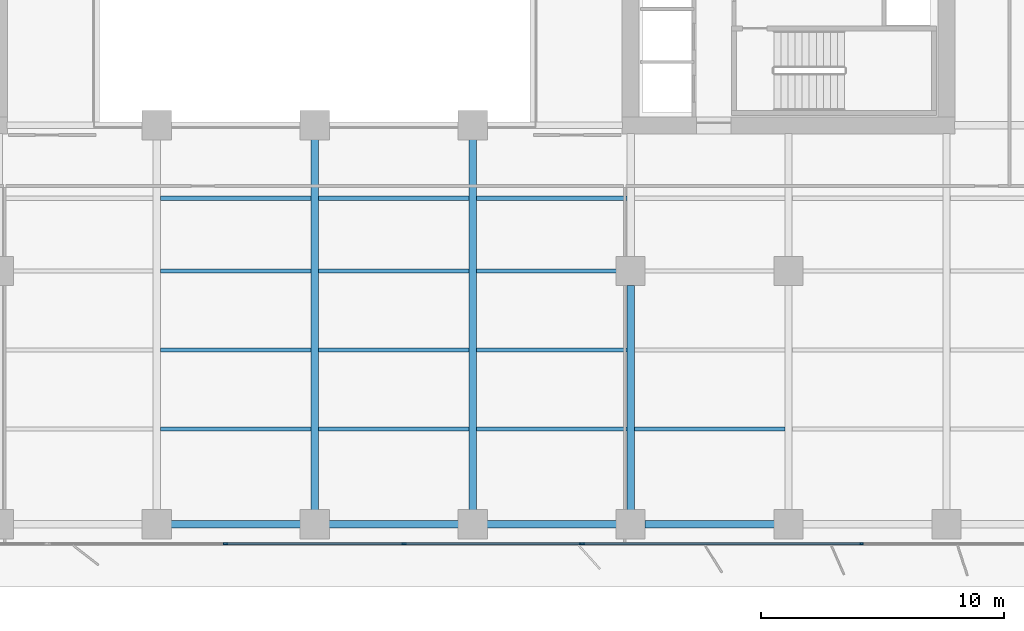
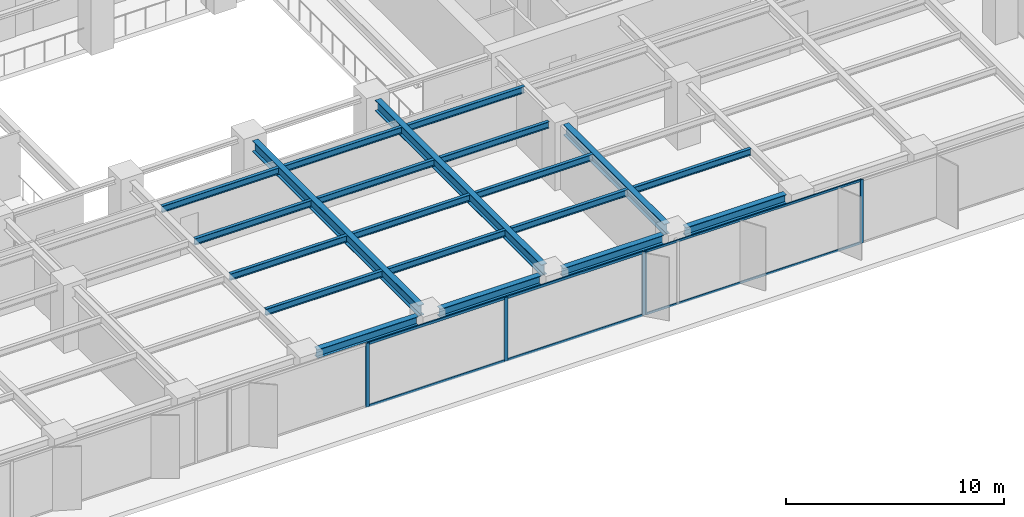
# One storey, part 5 of 19: 20 beams, 11 members, 2 elements without a shape of their own.
"""IFC4 building model written with IfcOpenShell, lengths in metres."""

import ifcopenshell
import ifcopenshell.guid

model = None  # the IFC model being written
_history = None  # IfcOwnerHistory: only IFC2X3 demands one
_inside = {}  # id of a spatial element -> (the spatial element, [elements in it])
_under = {}  # id of a project, library or spatial element -> (it, [spatial elements below it])
_declared = {}  # id of a project -> (the project, [libraries it declares])
_typed = {}  # id of a type object -> (the type object, [elements of that type])
_made_of = {}  # id of a material, layer set ... -> (it, [elements and type objects made of it])


def new_model(schema):
    """Start an empty IFC model of exactly this schema.

    Asked for "IFC4X3", IfcOpenShell would pick the latest addendum, in which some entities
    have other attributes; the version numbers below select the first issue.
    IFC2X3 requires an IfcOwnerHistory on every rooted entity: one is made here for all.
    """
    global model, _history
    if schema == "IFC4X3":
        model = ifcopenshell.file(schema_version=(4, 3, 0, 0))
    else:
        model = ifcopenshell.file(schema=schema)
    _inside.clear()
    _under.clear()
    _declared.clear()
    _typed.clear()
    _made_of.clear()
    _history = None
    if model.schema == "IFC2X3":
        org = make("IfcOrganization", Name="unknown")
        user = make(
            "IfcPersonAndOrganization",
            ThePerson=make("IfcPerson", FamilyName="unknown"),
            TheOrganization=org,
        )
        app = make(
            "IfcApplication",
            ApplicationDeveloper=org,
            Version="unknown",
            ApplicationFullName="unknown",
            ApplicationIdentifier="unknown",
        )
        _history = make(
            "IfcOwnerHistory",
            OwningUser=user,
            OwningApplication=app,
            ChangeAction="ADDED",
            CreationDate=0,
        )
    return model


def make(cls, **values):
    """One entity of the class cls with the attributes given. An attribute that is None is left unset."""
    return model.create_entity(
        cls, **{name: value for name, value in values.items() if value is not None}
    )


def rooted(cls, **values):
    """An entity with a GlobalId (a new one), such as an element, a storey or a relation."""
    return make(cls, GlobalId=ifcopenshell.guid.new(), OwnerHistory=_history, **values)


def si_unit(unit_type, name, prefix=None):
    """IfcSIUnit, for example si_unit("LENGTHUNIT", "METRE", prefix="MILLI")."""
    return make("IfcSIUnit", UnitType=unit_type, Prefix=prefix, Name=name)


def assignment(units):
    """IfcUnitAssignment: the units of a project."""
    return None if units is None else make("IfcUnitAssignment", Units=units)


def point(xyz):
    """IfcCartesianPoint."""
    return None if xyz is None else make("IfcCartesianPoint", Coordinates=xyz)


def direction(xyz):
    """IfcDirection."""
    return None if xyz is None else make("IfcDirection", DirectionRatios=xyz)


def frame(location, z_axis=None, x_axis=None):
    """IfcAxis2Placement3D, a coordinate frame: its origin and axes. An axis left out is left unset."""
    return make(
        "IfcAxis2Placement3D",
        Location=point(location),
        Axis=direction(z_axis),
        RefDirection=direction(x_axis),
    )


def frame_2d(location, x_axis=None):
    """IfcAxis2Placement2D, a coordinate frame in the plane: its origin and x axis."""
    return make(
        "IfcAxis2Placement2D", Location=point(location), RefDirection=direction(x_axis)
    )


def origin():
    """The frame at (0, 0, 0) with its axes left unset."""
    return frame((0.0, 0.0, 0.0))


def origin_2d():
    """The frame at (0, 0) in the plane with its x axis left unset."""
    return frame_2d((0.0, 0.0))


def place(relative_to, where):
    """IfcLocalPlacement: puts the frame where relative to a parent placement (None: the world)."""
    return make(
        "IfcLocalPlacement", PlacementRelTo=relative_to, RelativePlacement=where
    )


def context(
    kind, dimensions, precision=None, world=None, true_north=None, identifier=None
):
    """IfcGeometricRepresentationContext, for example the 3D "Model" context."""
    return make(
        "IfcGeometricRepresentationContext",
        ContextIdentifier=identifier,
        ContextType=kind,
        CoordinateSpaceDimension=dimensions,
        Precision=precision,
        WorldCoordinateSystem=world,
        TrueNorth=true_north,
    )


def subcontext(parent, identifier, kind, view, scale=None):
    """IfcGeometricRepresentationSubContext, for example "Body" below "Model"."""
    return make(
        "IfcGeometricRepresentationSubContext",
        ContextIdentifier=identifier,
        ContextType=kind,
        ParentContext=parent,
        TargetScale=scale,
        TargetView=view,
    )


def project(units=None, contexts=None):
    """IfcProject with its units and contexts."""
    return rooted(
        "IfcProject",
        Name="project",
        RepresentationContexts=contexts,
        UnitsInContext=assignment(units),
    )


def spatial(cls, under=None, at=None, **own):
    """A site, building, storey or space (cls), placed at a placement, below another one or the project."""
    s = rooted(cls, ObjectPlacement=at, **own)
    if under is not None:
        _under.setdefault(under.id(), (under, []))[1].append(s)
    return s


def profile(cls, at=None, kind="AREA", **sizes):
    """A parametric profile (cls). Its sizes go by their IFC names, for example OverallWidth=200.0."""
    return make(cls, ProfileType=kind, Position=at, **sizes)


def rectangle(**sizes):
    """IfcRectangleProfileDef."""
    return profile("IfcRectangleProfileDef", **sizes)


def i_section(**sizes):
    """IfcIShapeProfileDef."""
    return profile("IfcIShapeProfileDef", **sizes)


def extrude(swept, where, along, depth):
    """IfcExtrudedAreaSolid: the profile swept, set in the frame where, extruded along a direction by depth."""
    return make(
        "IfcExtrudedAreaSolid",
        SweptArea=swept,
        Position=where,
        ExtrudedDirection=direction(along),
        Depth=depth,
    )


def shape(context_of_items, identifier, shape_type, items):
    """IfcShapeRepresentation: the items that make up one representation, for example the "Body"."""
    return make(
        "IfcShapeRepresentation",
        ContextOfItems=context_of_items,
        RepresentationIdentifier=identifier,
        RepresentationType=shape_type,
        Items=items,
    )


def material(Name=None, Category=None):
    """IfcMaterial."""
    return make("IfcMaterial", Name=Name, Category=Category)


def layer(
    of_material, thickness, ventilated=None, Name=None, Category=None, Priority=None
):
    """IfcMaterialLayer: one layer of a wall or slab, of a material (None: an air gap)."""
    return make(
        "IfcMaterialLayer",
        Material=of_material,
        LayerThickness=thickness,
        IsVentilated=ventilated,
        Name=Name,
        Category=Category,
        Priority=Priority,
    )


def layer_set(layers, Name=None):
    """IfcMaterialLayerSet."""
    return make("IfcMaterialLayerSet", MaterialLayers=layers, LayerSetName=Name)


def material_profile(
    of_material, cross_section, Name=None, Category=None, Priority=None
):
    """IfcMaterialProfile: a cross section and its material."""
    return make(
        "IfcMaterialProfile",
        Name=Name,
        Material=of_material,
        Profile=cross_section,
        Priority=Priority,
        Category=Category,
    )


def profile_set(profiles, Name=None, composite=None):
    """IfcMaterialProfileSet."""
    return make(
        "IfcMaterialProfileSet",
        Name=Name,
        MaterialProfiles=profiles,
        CompositeProfile=composite,
    )


def made_of(thing, what):
    """Note that an element or type object is made of a material, layer set ...; save() writes the relation."""
    if what is not None:
        _made_of.setdefault(what.id(), (what, []))[1].append(thing)
    return thing


def type_object(cls, material=None, **own):
    """A type object (cls), such as IfcWallType, which elements share."""
    return made_of(rooted(cls, **own), material)


def element(
    cls,
    number,
    at=None,
    inside=None,
    cuts=None,
    type_object=None,
    material=None,
    context=None,
    identifier="Body",
    shape_type=None,
    held_by="IfcProductDefinitionShape",
    body=None,
    shapes=None,
    **own,
):
    """One element of the class cls, such as IfcWall. Its Tag is "e" and its number.

    at: its placement. inside: the storey or other place that contains it. cuts: it is an
    opening in that element (IfcRelVoidsElement). A single representation is given by context,
    identifier, shape_type and body (its items); several are given by shapes. held_by: the class
    of the entity that holds the representations. save() writes the other relations.
    """
    e = rooted(cls, Tag="e%d" % number, ObjectPlacement=at, **own)
    if body is not None:
        shapes = [shape(context, identifier, shape_type, body)]
    if shapes is not None:
        e.Representation = make(held_by, Representations=shapes)
    if inside is not None:
        _inside.setdefault(inside.id(), (inside, []))[1].append(e)
    if cuts is not None:
        rooted(
            "IfcRelVoidsElement", RelatingBuildingElement=cuts, RelatedOpeningElement=e
        )
    if type_object is not None:
        _typed.setdefault(type_object.id(), (type_object, []))[1].append(e)
    return made_of(e, material)


def aggregate(whole, parts):
    """IfcRelAggregates: a whole, such as a stair, and the parts it consists of."""
    return rooted("IfcRelAggregates", RelatingObject=whole, RelatedObjects=parts)


def save(model, path):
    """Write the relations noted so far, then the file.

    IfcRelAggregates (storeys below a building ...), IfcRelContainedInSpatialStructure (elements
    in a storey), IfcRelDefinesByType, IfcRelAssociatesMaterial and IfcRelDeclares: one each for
    every whole, place, type object, material and project.
    """
    for whole, parts in _under.values():
        aggregate(whole, parts)
    for where, things in _inside.values():
        rooted(
            "IfcRelContainedInSpatialStructure",
            RelatedElements=things,
            RelatingStructure=where,
        )
    for kind, things in _typed.values():
        rooted("IfcRelDefinesByType", RelatedObjects=things, RelatingType=kind)
    for what, things in _made_of.values():
        rooted("IfcRelAssociatesMaterial", RelatedObjects=things, RelatingMaterial=what)
    for by, libraries in _declared.values():
        rooted("IfcRelDeclares", RelatingContext=by, RelatedDefinitions=libraries)
    model.write(path)


model = new_model("IFC4")

# Units and contexts
model_context = context("Model", 3, precision=1e-05, world=origin(), true_north=direction((0.0, 1.0)))
body_context = subcontext(model_context, "Body", "Model", "MODEL_VIEW")
ifc_project = project(units=[si_unit("LENGTHUNIT", "METRE"), si_unit("AREAUNIT", "SQUARE_METRE"), si_unit("VOLUMEUNIT", "CUBIC_METRE"), si_unit("PLANEANGLEUNIT", "RADIAN"), si_unit("MASSUNIT", "GRAM", prefix="KILO")], contexts=[model_context])

# Site, building, storey
site_placement = place(None, origin())
site = spatial("IfcSite", under=ifc_project, at=site_placement, CompositionType="ELEMENT")
building_placement = place(site_placement, origin())
building = spatial("IfcBuilding", under=site, at=building_placement, Name="Putna Gate Headquarters", CompositionType="ELEMENT")
storey_placement = place(building_placement, frame((0.0, 0.0, 86.0)))
storey = spatial("IfcBuildingStorey", under=building, at=storey_placement, Name="L20", CompositionType="ELEMENT", Elevation=86.0)

# Beams
ifc_material_1 = material(Name="Steel S355J2", Category="steel")
ifc_material_profile_1 = material_profile(ifc_material_1, i_section(OverallWidth=0.300048828125, OverallDepth=0.60009765625, WebThickness=0.015380859375, FlangeThickness=0.030029296875, at=origin_2d()), Name="Steel S355J2")
ifc_profile_set_1 = profile_set([ifc_material_profile_1], Name="Steel S355J2")
beam_type_1 = type_object("IfcBeamType", Name="BM-GIRD-Z2-HEB600", PredefinedType="USERDEFINED", material=ifc_profile_set_1)
for number, where, z_axis, x_axis, name in (
    (1, (39.0, 3.16796875, 3.264892578125), (0.0, 1.0, 0.0), (-1.0, 0.0, 0.0), "L20 South Primary Girder X39"),
    (2, (45.5, 3.16796875, 3.264892578125), (0.0, 1.0, 0.0), (-1.0, 0.0, 0.0), "L20 South Primary Girder X45"),
):
    element("IfcBeam", number, at=place(storey_placement, frame(where, z_axis=z_axis, x_axis=x_axis)), inside=storey, type_object=beam_type_1, Name=name, ObjectType="GIRDER", PredefinedType="USERDEFINED", context=body_context, shape_type="SweptSolid", body=[
        extrude(i_section(OverallWidth=0.300048828125, OverallDepth=0.60009765625, WebThickness=0.015380859375, FlangeThickness=0.030029296875, at=origin_2d()), origin(), (0.0, 0.0, 1.0), 15.244140625),
    ])
beam_1_placement = place(storey_placement, frame((52.0, 3.16796875, 3.264892578125), z_axis=(0.0, 1.0, 0.0), x_axis=(-1.0, 0.0, 0.0)))
element("IfcBeam", 3, at=beam_1_placement, inside=storey, type_object=beam_type_1, Name="L20 South Primary Girder X52-1", ObjectType="GIRDER", PredefinedType="USERDEFINED", context=body_context, shape_type="SweptSolid", body=[
    extrude(i_section(OverallWidth=0.300048828125, OverallDepth=0.60009765625, WebThickness=0.015380859375, FlangeThickness=0.030029296875, at=origin_2d()), origin(), (0.0, 0.0, 1.0), 9.244140625),
])
ifc_material_profile_2 = material_profile(ifc_material_1, i_section(OverallWidth=0.169921875, OverallDepth=0.360107421875, WebThickness=0.008056640625, FlangeThickness=0.0126953125, at=origin_2d()), Name="Steel S355J2")
ifc_profile_set_2 = profile_set([ifc_material_profile_2], Name="Steel S355J2")
beam_type_2 = type_object("IfcBeamType", Name="BM-SEC-Z2-IPE360", PredefinedType="BEAM", material=ifc_profile_set_2)
for number, where, z_axis, x_axis, name in (
    (4, (32.654052734375, 6.5, 3.385009765625), (1.0, 0.0, 0.0), (0.0, 1.0, 0.0), "L20 South Secondary Beam 5"),
    (5, (32.654052734375, 9.75, 3.385009765625), (1.0, 0.0, 0.0), (0.0, 1.0, 0.0), "L20 South Secondary Beam 5"),
    (6, (32.654052734375, 13.0, 3.385009765625), (1.0, 0.0, 0.0), (0.0, 1.0, 0.0), "L20 South Secondary Beam 5"),
    (7, (32.654052734375, 16.0, 3.385009765625), (1.0, 0.0, 0.0), (0.0, 1.0, 0.0), "L20 South Secondary Beam 5"),
    (8, (39.154052734375, 6.5, 3.385009765625), (1.0, 0.0, 0.0), (0.0, 1.0, 0.0), "L20 South Secondary Beam 6"),
    (9, (39.154052734375, 9.75, 3.385009765625), (1.0, 0.0, 0.0), (0.0, 1.0, 0.0), "L20 South Secondary Beam 6"),
    (10, (39.154052734375, 13.0, 3.385009765625), (1.0, 0.0, 0.0), (0.0, 1.0, 0.0), "L20 South Secondary Beam 6"),
    (11, (39.154052734375, 16.0, 3.385009765625), (1.0, 0.0, 0.0), (0.0, 1.0, 0.0), "L20 South Secondary Beam 6"),
    (12, (45.654052734375, 6.5, 3.385009765625), (1.0, 0.0, 0.0), (0.0, 1.0, 0.0), "L20 South Secondary Beam 7"),
    (13, (45.654052734375, 9.75, 3.385009765625), (1.0, 0.0, 0.0), (0.0, 1.0, 0.0), "L20 South Secondary Beam 7"),
):
    element("IfcBeam", number, at=place(storey_placement, frame(where, z_axis=z_axis, x_axis=x_axis)), inside=storey, type_object=beam_type_2, Name=name, PredefinedType="BEAM", context=body_context, shape_type="SweptSolid", body=[
        extrude(i_section(OverallWidth=0.169921875, OverallDepth=0.360107421875, WebThickness=0.008056640625, FlangeThickness=0.0126953125, at=origin_2d()), origin(), (0.0, 0.0, 1.0), 6.19189453125),
    ])
beam_2_placement = place(storey_placement, frame((45.654052734375, 13.0, 3.385009765625), z_axis=(1.0, 0.0, 0.0), x_axis=(0.0, 1.0, 0.0)))
element("IfcBeam", 14, at=beam_2_placement, inside=storey, type_object=beam_type_2, Name="L20 South Secondary Beam 7", PredefinedType="BEAM", context=body_context, shape_type="SweptSolid", body=[
    extrude(i_section(OverallWidth=0.169921875, OverallDepth=0.360107421875, WebThickness=0.008056640625, FlangeThickness=0.0126953125, at=origin_2d()), origin(), (0.0, 0.0, 1.0), 5.758056640625),
])
for number, where, z_axis, x_axis, name in (
    (15, (45.654052734375, 16.0, 3.385009765625), (1.0, 0.0, 0.0), (0.0, 1.0, 0.0), "L20 South Secondary Beam 7"),
    (16, (52.154052734375, 6.5, 3.385009765625), (1.0, 0.0, 0.0), (0.0, 1.0, 0.0), "L20 South Secondary Beam 8"),
):
    element("IfcBeam", number, at=place(storey_placement, frame(where, z_axis=z_axis, x_axis=x_axis)), inside=storey, type_object=beam_type_2, Name=name, PredefinedType="BEAM", context=body_context, shape_type="SweptSolid", body=[
        extrude(i_section(OverallWidth=0.169921875, OverallDepth=0.360107421875, WebThickness=0.008056640625, FlangeThickness=0.0126953125, at=origin_2d()), origin(), (0.0, 0.0, 1.0), 6.19189453125),
    ])
ifc_material_profile_3 = material_profile(ifc_material_1, i_section(OverallWidth=0.300048828125, OverallDepth=0.489990234375, WebThickness=0.011962890625, FlangeThickness=0.02294921875, at=origin_2d()), Name="Steel S355J2")
ifc_profile_set_3 = profile_set([ifc_material_profile_3], Name="Steel S355J2")
beam_type_3 = type_object("IfcBeamType", Name="BM-SPAN-Z2-HEA500", PredefinedType="SPANDREL", material=ifc_profile_set_3)
for number, where, z_axis, x_axis, name in (
    (17, (33.087890625, 2.580078125, 3.320068359375), (1.0, 0.0, 0.0), (0.0, 1.0, 0.0), "L20 S Perimeter Spandrel 5"),
    (18, (39.587890625, 2.580078125, 3.320068359375), (1.0, 0.0, 0.0), (0.0, 1.0, 0.0), "L20 S Perimeter Spandrel 6"),
    (19, (46.087890625, 2.580078125, 3.320068359375), (1.0, 0.0, 0.0), (0.0, 1.0, 0.0), "L20 S Perimeter Spandrel 7"),
    (20, (52.587890625, 2.580078125, 3.320068359375), (1.0, 0.0, 0.0), (0.0, 1.0, 0.0), "L20 S Perimeter Spandrel 8"),
):
    element("IfcBeam", number, at=place(storey_placement, frame(where, z_axis=z_axis, x_axis=x_axis)), inside=storey, type_object=beam_type_3, Name=name, PredefinedType="SPANDREL", context=body_context, shape_type="SweptSolid", body=[
        extrude(i_section(OverallWidth=0.300048828125, OverallDepth=0.489990234375, WebThickness=0.011962890625, FlangeThickness=0.02294921875, at=origin_2d()), origin(), (0.0, 0.0, 1.0), 5.32421875),
    ])

# Curtain wall, members
ifc_material_2 = material(Name="Anodised bronze aluminium curtain wall", Category="aluminium")
ifc_layer_1 = layer(ifc_material_2, 0.159912109375)
ifc_layer_set_1 = layer_set([ifc_layer_1], Name="Anodised bronze aluminium curtain wall")
curtain_wall_type_1 = type_object("IfcCurtainWallType", Name="CW-SYS-Z2", PredefinedType="USERDEFINED", material=ifc_layer_set_1)
curtain_wall_1_placement = place(storey_placement, origin())
curtain_wall_1 = element("IfcCurtainWall", 21, at=curtain_wall_1_placement, inside=storey, type_object=curtain_wall_type_1, Name="L20 South East Curtain Wall", ObjectType="STICK CURTAIN WALL", PredefinedType="USERDEFINED")
ifc_material_3 = material(Name="Anodised bronze aluminium EN AW-6060", Category="aluminium")
ifc_material_profile_4 = material_profile(ifc_material_3, rectangle(XDim=0.06494140625, YDim=0.159912109375, at=origin_2d()), Name="Anodised bronze aluminium EN AW-6060")
ifc_profile_set_4 = profile_set([ifc_material_profile_4], Name="Anodised bronze aluminium EN AW-6060")
member_type_1 = type_object("IfcMemberType", Name="MULL-CWM-2", PredefinedType="MULLION", material=ifc_profile_set_4)
member_1_placement = place(storey_placement, frame((50.032470703125, 1.780029296875, 0.0), z_axis=(0.0, 0.0, 1.0), x_axis=(0.0, 1.0, 0.0)))
member_1 = element("IfcMember", 22, at=member_1_placement, type_object=member_type_1, Name="CWS-2 mullion 1", PredefinedType="MULLION", context=body_context, shape_type="SweptSolid", body=[
    extrude(rectangle(XDim=0.06494140625, YDim=0.159912109375, at=origin_2d()), origin(), (0.0, 0.0, 1.0), 3.56494140625),
])
member_2_placement = place(storey_placement, frame((61.5, 1.780029296875, 0.0), z_axis=(0.0, 0.0, 1.0), x_axis=(0.0, 1.0, 0.0)))
member_2 = element("IfcMember", 23, at=member_2_placement, type_object=member_type_1, Name="CWS-2 mullion 2", PredefinedType="MULLION", context=body_context, shape_type="SweptSolid", body=[
    extrude(rectangle(XDim=0.06494140625, YDim=0.159912109375, at=origin_2d()), origin(), (0.0, 0.0, 1.0), 3.56494140625),
])

ifc_layer_2 = layer(ifc_material_2, 0.179931640625)
ifc_layer_set_2 = layer_set([ifc_layer_2], Name="Anodised bronze aluminium curtain wall")
curtain_wall_type_2 = type_object("IfcCurtainWallType", Name="CW-SYS-ATR", PredefinedType="USERDEFINED", material=ifc_layer_set_2)
curtain_wall_2_placement = place(storey_placement, origin())
curtain_wall_2 = element("IfcCurtainWall", 24, at=curtain_wall_2_placement, inside=storey, type_object=curtain_wall_type_2, Name="L20 South Atrium Clear Glazing", ObjectType="ATRIUM GLAZING", PredefinedType="USERDEFINED")
ifc_material_profile_5 = material_profile(ifc_material_3, rectangle(XDim=0.070068359375, YDim=0.179931640625, at=origin_2d()), Name="Anodised bronze aluminium EN AW-6060")
ifc_profile_set_5 = profile_set([ifc_material_profile_5], Name="Anodised bronze aluminium EN AW-6060")
member_type_2 = type_object("IfcMemberType", Name="MULL-CWM-AT", PredefinedType="MULLION", material=ifc_profile_set_5)
member_3_placement = place(storey_placement, frame((35.333251953125, 1.780029296875, 0.0), z_axis=(0.0, 0.0, 1.0), x_axis=(0.0, 1.0, 0.0)))
member_3 = element("IfcMember", 25, at=member_3_placement, type_object=member_type_2, Name="CWS-AT mullion 2", PredefinedType="MULLION", context=body_context, shape_type="SweptSolid", body=[
    extrude(rectangle(XDim=0.070068359375, YDim=0.179931640625, at=origin_2d()), origin(), (0.0, 0.0, 1.0), 3.56494140625),
])
member_4_placement = place(storey_placement, frame((42.666748046875, 1.780029296875, 0.0), z_axis=(0.0, 0.0, 1.0), x_axis=(0.0, 1.0, 0.0)))
member_4 = element("IfcMember", 26, at=member_4_placement, type_object=member_type_2, Name="CWS-AT mullion 3", PredefinedType="MULLION", context=body_context, shape_type="SweptSolid", body=[
    extrude(rectangle(XDim=0.070068359375, YDim=0.179931640625, at=origin_2d()), origin(), (0.0, 0.0, 1.0), 3.56494140625),
])
member_5_placement = place(storey_placement, frame((49.965087890625, 1.780029296875, 0.0), z_axis=(0.0, 0.0, 1.0), x_axis=(0.0, 1.0, 0.0)))
member_5 = element("IfcMember", 27, at=member_5_placement, type_object=member_type_2, Name="CWS-AT mullion 4", PredefinedType="MULLION", context=body_context, shape_type="SweptSolid", body=[
    extrude(rectangle(XDim=0.070068359375, YDim=0.179931640625, at=origin_2d()), origin(), (0.0, 0.0, 1.0), 3.56494140625),
])

# Member
ifc_material_profile_6 = material_profile(ifc_material_3, rectangle(XDim=0.06494140625, YDim=0.1201171875, at=origin_2d()), Name="Anodised bronze aluminium EN AW-6060")
ifc_profile_set_6 = profile_set([ifc_material_profile_6], Name="Anodised bronze aluminium EN AW-6060")
member_type_3 = type_object("IfcMemberType", Name="TRAN-CWT-2", PredefinedType="USERDEFINED", material=ifc_profile_set_6)
member_6_placement = place(storey_placement, frame((50.06494140625, 1.780029296875, 0.032470703125), z_axis=(1.0, 0.0, 0.0), x_axis=(0.0, 1.0, 0.0)))
member_6 = element("IfcMember", 28, at=member_6_placement, type_object=member_type_3, Name="CWS-2 transom 1.1", ObjectType="TRANSOM", PredefinedType="USERDEFINED", context=body_context, shape_type="SweptSolid", body=[
    extrude(rectangle(XDim=0.06494140625, YDim=0.1201171875, at=origin_2d()), origin(), (0.0, 0.0, 1.0), 11.402587890625),
])

member_7_placement = place(storey_placement, frame((50.06494140625, 1.780029296875, 3.532470703125), z_axis=(1.0, 0.0, 0.0), x_axis=(0.0, 1.0, 0.0)))
member_7 = element("IfcMember", 29, at=member_7_placement, type_object=member_type_3, Name="CWS-2 transom 1.2", ObjectType="TRANSOM", PredefinedType="USERDEFINED", context=body_context, shape_type="SweptSolid", body=[
    extrude(rectangle(XDim=0.06494140625, YDim=0.1201171875, at=origin_2d()), origin(), (0.0, 0.0, 1.0), 11.402587890625),
])

aggregate(curtain_wall_1, [member_1, member_2, member_6, member_7])

ifc_material_profile_7 = material_profile(ifc_material_3, rectangle(XDim=0.070068359375, YDim=0.139892578125, at=origin_2d()), Name="Anodised bronze aluminium EN AW-6060")
ifc_profile_set_7 = profile_set([ifc_material_profile_7], Name="Anodised bronze aluminium EN AW-6060")
member_type_4 = type_object("IfcMemberType", Name="TRAN-CWT-AT", PredefinedType="USERDEFINED", material=ifc_profile_set_7)
member_8_placement = place(storey_placement, frame((35.368408203125, 1.780029296875, 0.034912109375), z_axis=(1.0, 0.0, 0.0), x_axis=(0.0, 1.0, 0.0)))
member_8 = element("IfcMember", 30, at=member_8_placement, type_object=member_type_4, Name="CWS-AT transom 2.1", ObjectType="TRANSOM", PredefinedType="USERDEFINED", context=body_context, shape_type="SweptSolid", body=[
    extrude(rectangle(XDim=0.070068359375, YDim=0.139892578125, at=origin_2d()), origin(), (0.0, 0.0, 1.0), 7.26318359375),
])

member_9_placement = place(storey_placement, frame((35.368408203125, 1.780029296875, 3.530029296875), z_axis=(1.0, 0.0, 0.0), x_axis=(0.0, 1.0, 0.0)))
member_9 = element("IfcMember", 31, at=member_9_placement, type_object=member_type_4, Name="CWS-AT transom 2.2", ObjectType="TRANSOM", PredefinedType="USERDEFINED", context=body_context, shape_type="SweptSolid", body=[
    extrude(rectangle(XDim=0.070068359375, YDim=0.139892578125, at=origin_2d()), origin(), (0.0, 0.0, 1.0), 7.26318359375),
])

member_10_placement = place(storey_placement, frame((42.70166015625, 1.780029296875, 0.034912109375), z_axis=(1.0, 0.0, 0.0), x_axis=(0.0, 1.0, 0.0)))
member_10 = element("IfcMember", 32, at=member_10_placement, type_object=member_type_4, Name="CWS-AT transom 3.1", ObjectType="TRANSOM", PredefinedType="USERDEFINED", context=body_context, shape_type="SweptSolid", body=[
    extrude(rectangle(XDim=0.070068359375, YDim=0.139892578125, at=origin_2d()), origin(), (0.0, 0.0, 1.0), 7.228271484375),
])

member_11_placement = place(storey_placement, frame((42.70166015625, 1.780029296875, 3.530029296875), z_axis=(1.0, 0.0, 0.0), x_axis=(0.0, 1.0, 0.0)))
member_11 = element("IfcMember", 33, at=member_11_placement, type_object=member_type_4, Name="CWS-AT transom 3.2", ObjectType="TRANSOM", PredefinedType="USERDEFINED", context=body_context, shape_type="SweptSolid", body=[
    extrude(rectangle(XDim=0.070068359375, YDim=0.139892578125, at=origin_2d()), origin(), (0.0, 0.0, 1.0), 7.228271484375),
])

aggregate(curtain_wall_2, [member_3, member_4, member_5, member_8, member_9, member_10, member_11])

save(model, "model.ifc")
